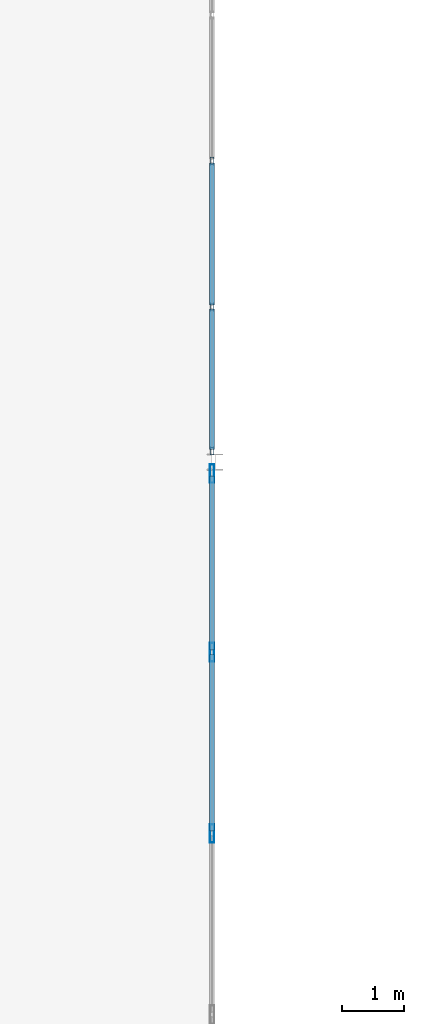
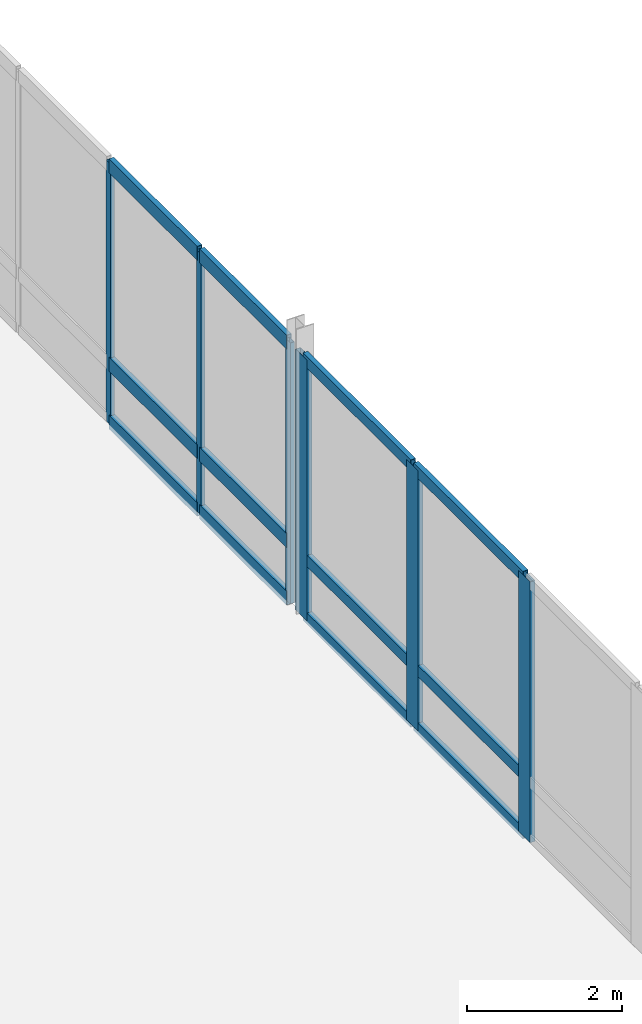
# One storey, part 33 of 115: 18 members, 2 elements without a shape of their own.
"""IFC4 building model written with IfcOpenShell, lengths in metres."""

from ifc_helpers import new_model, si_unit, direction, frame, origin, origin_2d, place, context, subcontext, project, spatial, hollow_rectangle, extrude, material, layer, layer_set, material_profile, profile_set, type_object, element, aggregate, save


model = new_model("IFC4")

# Units and contexts
model_context = context("Model", 3, precision=1e-05, world=origin(), true_north=direction((0.0, 1.0)))
body_context = subcontext(model_context, "Body", "Model", "MODEL_VIEW")
ifc_project = project(units=[si_unit("LENGTHUNIT", "METRE"), si_unit("AREAUNIT", "SQUARE_METRE"), si_unit("VOLUMEUNIT", "CUBIC_METRE"), si_unit("PLANEANGLEUNIT", "RADIAN"), si_unit("MASSUNIT", "GRAM", prefix="KILO")], contexts=[model_context])

# Site, building, storey
site_placement = place(None, origin())
site = spatial("IfcSite", under=ifc_project, at=site_placement, CompositionType="ELEMENT")
building_placement = place(site_placement, origin())
building = spatial("IfcBuilding", under=site, at=building_placement, Name="Montelvaro Courts of Justice", CompositionType="ELEMENT")
storey_placement = place(building_placement, frame((0.0, 0.0, 9.89990234375)))
storey = spatial("IfcBuildingStorey", under=building, at=storey_placement, Name="L02", CompositionType="ELEMENT", Elevation=9.89990234375)

# Curtain wall, members
ifc_material = material(Name="Anodised aluminium EN AW-6063", Category="aluminium")
ifc_layer_1 = layer(ifc_material, 0.159912109375)
ifc_layer_set_1 = layer_set([ifc_layer_1], Name="Anodised aluminium EN AW-6063")
curtain_wall_type_1 = type_object("IfcCurtainWallType", Name="CurtainWall_24_1169x418", PredefinedType="USERDEFINED", material=ifc_layer_set_1)
curtain_wall_1_placement = place(storey_placement, origin())
curtain_wall_1 = element("IfcCurtainWall", 1, at=curtain_wall_1_placement, inside=storey, type_object=curtain_wall_type_1, Name="Curtain Wall CW-24 (L02)", ObjectType="CURTAIN WALL", PredefinedType="USERDEFINED")
ifc_material_profile_1 = material_profile(ifc_material, hollow_rectangle(XDim=0.06005859375, YDim=0.1201171875, WallThickness=0.00341796875, at=origin_2d()), Name="ALU-M 60x120")
ifc_profile_set_1 = profile_set([ifc_material_profile_1], Name="Anodised aluminium EN AW-6063")
member_type_1 = type_object("IfcMemberType", Name="CurtainWall_Mullion_60x120", PredefinedType="MULLION", material=ifc_profile_set_1)
member_1_placement = place(storey_placement, frame((80.949951171875, 54.175048828125, 0.0), z_axis=(0.0, 0.0, 1.0), x_axis=(-1.0, 0.0, 0.0)))
member_1 = element("IfcMember", 2, at=member_1_placement, type_object=member_type_1, Name="CW-24 mullion 1", PredefinedType="MULLION", context=body_context, shape_type="SweptSolid", body=[
    extrude(hollow_rectangle(XDim=0.06005859375, YDim=0.1201171875, WallThickness=0.00341796875, at=origin_2d()), origin(), (0.0, 0.0, 1.0), 4.1201171875),
])
member_2_placement = place(storey_placement, frame((80.949951171875, 56.487060546875, 0.0), z_axis=(0.0, 0.0, 1.0), x_axis=(-1.0, 0.0, 0.0)))
member_2 = element("IfcMember", 3, at=member_2_placement, type_object=member_type_1, Name="CW-24 mullion 2", PredefinedType="MULLION", context=body_context, shape_type="SweptSolid", body=[
    extrude(hollow_rectangle(XDim=0.06005859375, YDim=0.1201171875, WallThickness=0.00341796875, at=origin_2d()), origin(), (0.0, 0.0, 1.0), 4.1201171875),
])
member_3_placement = place(storey_placement, frame((80.949951171875, 58.8291015625, 0.0), z_axis=(0.0, 0.0, 1.0), x_axis=(-1.0, 0.0, 0.0)))
member_3 = element("IfcMember", 4, at=member_3_placement, type_object=member_type_1, Name="CW-24 mullion 3", PredefinedType="MULLION", context=body_context, shape_type="SweptSolid", body=[
    extrude(hollow_rectangle(XDim=0.06005859375, YDim=0.1201171875, WallThickness=0.00341796875, at=origin_2d()), origin(), (0.0, 0.0, 1.0), 4.1201171875),
])

ifc_layer_2 = layer(ifc_material, 0.159912109375)
ifc_layer_set_2 = layer_set([ifc_layer_2], Name="Anodised aluminium EN AW-6063")
curtain_wall_type_2 = type_object("IfcCurtainWallType", Name="CurtainWall_19_1159x418", PredefinedType="USERDEFINED", material=ifc_layer_set_2)
curtain_wall_2_placement = place(storey_placement, origin())
curtain_wall_2 = element("IfcCurtainWall", 5, at=curtain_wall_2_placement, inside=storey, type_object=curtain_wall_type_2, Name="Curtain Wall CW-19 (L02)", ObjectType="CURTAIN WALL", PredefinedType="USERDEFINED")
ifc_material_profile_2 = material_profile(ifc_material, hollow_rectangle(XDim=0.074951171875, YDim=0.300048828125, WallThickness=0.006103515625, at=origin_2d()), Name="ALU-M 75x300")
ifc_profile_set_2 = profile_set([ifc_material_profile_2], Name="Anodised aluminium EN AW-6063")
member_type_2 = type_object("IfcMemberType", Name="CurtainWall_Mullion_75x300", PredefinedType="MULLION", material=ifc_profile_set_2)
member_4_placement = place(storey_placement, frame((80.949951171875, 48.047607421875, 0.0), z_axis=(0.0, 0.0, 1.0), x_axis=(-1.0, 0.0, 0.0)))
member_4 = element("IfcMember", 6, at=member_4_placement, type_object=member_type_2, Name="CW-19 mullion 3", PredefinedType="MULLION", context=body_context, shape_type="SweptSolid", body=[
    extrude(hollow_rectangle(XDim=0.074951171875, YDim=0.300048828125, WallThickness=0.006103515625, at=origin_2d()), origin(), (0.0, 0.0, 1.0), 4.1201171875),
])
member_5_placement = place(storey_placement, frame((80.949951171875, 50.951171875, 0.0), z_axis=(0.0, 0.0, 1.0), x_axis=(-1.0, 0.0, 0.0)))
member_5 = element("IfcMember", 7, at=member_5_placement, type_object=member_type_2, Name="CW-19 mullion 4", PredefinedType="MULLION", context=body_context, shape_type="SweptSolid", body=[
    extrude(hollow_rectangle(XDim=0.074951171875, YDim=0.300048828125, WallThickness=0.006103515625, at=origin_2d()), origin(), (0.0, 0.0, 1.0), 4.1201171875),
])
member_6_placement = place(storey_placement, frame((80.949951171875, 53.8173828125, 0.0), z_axis=(0.0, 0.0, 1.0), x_axis=(-1.0, 0.0, 0.0)))
member_6 = element("IfcMember", 8, at=member_6_placement, type_object=member_type_2, Name="CW-19 mullion 5", PredefinedType="MULLION", context=body_context, shape_type="SweptSolid", body=[
    extrude(hollow_rectangle(XDim=0.074951171875, YDim=0.300048828125, WallThickness=0.006103515625, at=origin_2d()), origin(), (0.0, 0.0, 1.0), 4.1201171875),
])
ifc_material_profile_3 = material_profile(ifc_material, hollow_rectangle(XDim=0.074951171875, YDim=0.179931640625, WallThickness=0.0048828125, at=origin_2d()), Name="ALU-T 75x180")
ifc_profile_set_3 = profile_set([ifc_material_profile_3], Name="Anodised aluminium EN AW-6063")
member_type_3 = type_object("IfcMemberType", Name="CurtainWall_Transom_75x180", PredefinedType="USERDEFINED", material=ifc_profile_set_3)
member_7_placement = place(storey_placement, frame((80.949951171875, 48.0849609375, 0.03759765625), z_axis=(0.0, 1.0, 0.0), x_axis=(-1.0, 0.0, 0.0)))
member_7 = element("IfcMember", 9, at=member_7_placement, type_object=member_type_3, Name="CW-19 transom 3.1", ObjectType="TRANSOM", PredefinedType="USERDEFINED", context=body_context, shape_type="SweptSolid", body=[
    extrude(hollow_rectangle(XDim=0.074951171875, YDim=0.179931640625, WallThickness=0.0048828125, at=origin_2d()), origin(), (0.0, 0.0, 1.0), 2.828857421875),
])
member_8_placement = place(storey_placement, frame((80.949951171875, 48.0849609375, 0.9501953125), z_axis=(0.0, 1.0, 0.0), x_axis=(-1.0, 0.0, 0.0)))
member_8 = element("IfcMember", 10, at=member_8_placement, type_object=member_type_3, Name="CW-19 transom 3.2", ObjectType="TRANSOM", PredefinedType="USERDEFINED", context=body_context, shape_type="SweptSolid", body=[
    extrude(hollow_rectangle(XDim=0.074951171875, YDim=0.179931640625, WallThickness=0.0048828125, at=origin_2d()), origin(), (0.0, 0.0, 1.0), 2.828857421875),
])
member_9_placement = place(storey_placement, frame((80.949951171875, 48.0849609375, 4.08251953125), z_axis=(0.0, 1.0, 0.0), x_axis=(-1.0, 0.0, 0.0)))
member_9 = element("IfcMember", 11, at=member_9_placement, type_object=member_type_3, Name="CW-19 transom 3.3", ObjectType="TRANSOM", PredefinedType="USERDEFINED", context=body_context, shape_type="SweptSolid", body=[
    extrude(hollow_rectangle(XDim=0.074951171875, YDim=0.179931640625, WallThickness=0.0048828125, at=origin_2d()), origin(), (0.0, 0.0, 1.0), 2.828857421875),
])
member_10_placement = place(storey_placement, frame((80.949951171875, 50.98876953125, 0.03759765625), z_axis=(0.0, 1.0, 0.0), x_axis=(-1.0, 0.0, 0.0)))
member_10 = element("IfcMember", 12, at=member_10_placement, type_object=member_type_3, Name="CW-19 transom 4.1", ObjectType="TRANSOM", PredefinedType="USERDEFINED", context=body_context, shape_type="SweptSolid", body=[
    extrude(hollow_rectangle(XDim=0.074951171875, YDim=0.179931640625, WallThickness=0.0048828125, at=origin_2d()), origin(), (0.0, 0.0, 1.0), 2.791259765625),
])
member_11_placement = place(storey_placement, frame((80.949951171875, 50.98876953125, 0.9501953125), z_axis=(0.0, 1.0, 0.0), x_axis=(-1.0, 0.0, 0.0)))
member_11 = element("IfcMember", 13, at=member_11_placement, type_object=member_type_3, Name="CW-19 transom 4.2", ObjectType="TRANSOM", PredefinedType="USERDEFINED", context=body_context, shape_type="SweptSolid", body=[
    extrude(hollow_rectangle(XDim=0.074951171875, YDim=0.179931640625, WallThickness=0.0048828125, at=origin_2d()), origin(), (0.0, 0.0, 1.0), 2.791259765625),
])
member_12_placement = place(storey_placement, frame((80.949951171875, 50.98876953125, 4.08251953125), z_axis=(0.0, 1.0, 0.0), x_axis=(-1.0, 0.0, 0.0)))
member_12 = element("IfcMember", 14, at=member_12_placement, type_object=member_type_3, Name="CW-19 transom 4.3", ObjectType="TRANSOM", PredefinedType="USERDEFINED", context=body_context, shape_type="SweptSolid", body=[
    extrude(hollow_rectangle(XDim=0.074951171875, YDim=0.179931640625, WallThickness=0.0048828125, at=origin_2d()), origin(), (0.0, 0.0, 1.0), 2.791259765625),
])
aggregate(curtain_wall_2, [member_4, member_5, member_6, member_7, member_8, member_9, member_10, member_11, member_12])

# Member
ifc_material_profile_4 = material_profile(ifc_material, hollow_rectangle(XDim=0.074951171875, YDim=0.219970703125, WallThickness=0.005615234375, at=origin_2d()), Name="ALU-T 75x220")
ifc_profile_set_4 = profile_set([ifc_material_profile_4], Name="Anodised aluminium EN AW-6063")
member_type_4 = type_object("IfcMemberType", Name="CurtainWall_Transom_75x220", PredefinedType="USERDEFINED", material=ifc_profile_set_4)
member_13_placement = place(storey_placement, frame((80.949951171875, 54.205078125, 0.03759765625), z_axis=(0.0, 1.0, 0.0), x_axis=(-1.0, 0.0, 0.0)))
member_13 = element("IfcMember", 15, at=member_13_placement, type_object=member_type_4, Name="CW-24 transom 1.1", ObjectType="TRANSOM", PredefinedType="USERDEFINED", context=body_context, shape_type="SweptSolid", body=[
    extrude(hollow_rectangle(XDim=0.074951171875, YDim=0.219970703125, WallThickness=0.005615234375, at=origin_2d()), origin(), (0.0, 0.0, 1.0), 2.251953125),
])

member_14_placement = place(storey_placement, frame((80.949951171875, 54.205078125, 0.9501953125), z_axis=(0.0, 1.0, 0.0), x_axis=(-1.0, 0.0, 0.0)))
member_14 = element("IfcMember", 16, at=member_14_placement, type_object=member_type_4, Name="CW-24 transom 1.2", ObjectType="TRANSOM", PredefinedType="USERDEFINED", context=body_context, shape_type="SweptSolid", body=[
    extrude(hollow_rectangle(XDim=0.074951171875, YDim=0.219970703125, WallThickness=0.005615234375, at=origin_2d()), origin(), (0.0, 0.0, 1.0), 2.251953125),
])

member_15_placement = place(storey_placement, frame((80.949951171875, 54.205078125, 4.08251953125), z_axis=(0.0, 1.0, 0.0), x_axis=(-1.0, 0.0, 0.0)))
member_15 = element("IfcMember", 17, at=member_15_placement, type_object=member_type_4, Name="CW-24 transom 1.3", ObjectType="TRANSOM", PredefinedType="USERDEFINED", context=body_context, shape_type="SweptSolid", body=[
    extrude(hollow_rectangle(XDim=0.074951171875, YDim=0.219970703125, WallThickness=0.005615234375, at=origin_2d()), origin(), (0.0, 0.0, 1.0), 2.251953125),
])

member_16_placement = place(storey_placement, frame((80.949951171875, 56.51708984375, 0.03759765625), z_axis=(0.0, 1.0, 0.0), x_axis=(-1.0, 0.0, 0.0)))
member_16 = element("IfcMember", 18, at=member_16_placement, type_object=member_type_4, Name="CW-24 transom 2.1", ObjectType="TRANSOM", PredefinedType="USERDEFINED", context=body_context, shape_type="SweptSolid", body=[
    extrude(hollow_rectangle(XDim=0.074951171875, YDim=0.219970703125, WallThickness=0.005615234375, at=origin_2d()), origin(), (0.0, 0.0, 1.0), 2.281982421875),
])

member_17_placement = place(storey_placement, frame((80.949951171875, 56.51708984375, 0.9501953125), z_axis=(0.0, 1.0, 0.0), x_axis=(-1.0, 0.0, 0.0)))
member_17 = element("IfcMember", 19, at=member_17_placement, type_object=member_type_4, Name="CW-24 transom 2.2", ObjectType="TRANSOM", PredefinedType="USERDEFINED", context=body_context, shape_type="SweptSolid", body=[
    extrude(hollow_rectangle(XDim=0.074951171875, YDim=0.219970703125, WallThickness=0.005615234375, at=origin_2d()), origin(), (0.0, 0.0, 1.0), 2.281982421875),
])

member_18_placement = place(storey_placement, frame((80.949951171875, 56.51708984375, 4.08251953125), z_axis=(0.0, 1.0, 0.0), x_axis=(-1.0, 0.0, 0.0)))
member_18 = element("IfcMember", 20, at=member_18_placement, type_object=member_type_4, Name="CW-24 transom 2.3", ObjectType="TRANSOM", PredefinedType="USERDEFINED", context=body_context, shape_type="SweptSolid", body=[
    extrude(hollow_rectangle(XDim=0.074951171875, YDim=0.219970703125, WallThickness=0.005615234375, at=origin_2d()), origin(), (0.0, 0.0, 1.0), 2.281982421875),
])

aggregate(curtain_wall_1, [member_1, member_2, member_3, member_13, member_14, member_15, member_16, member_17, member_18])

save(model, "model.ifc")
